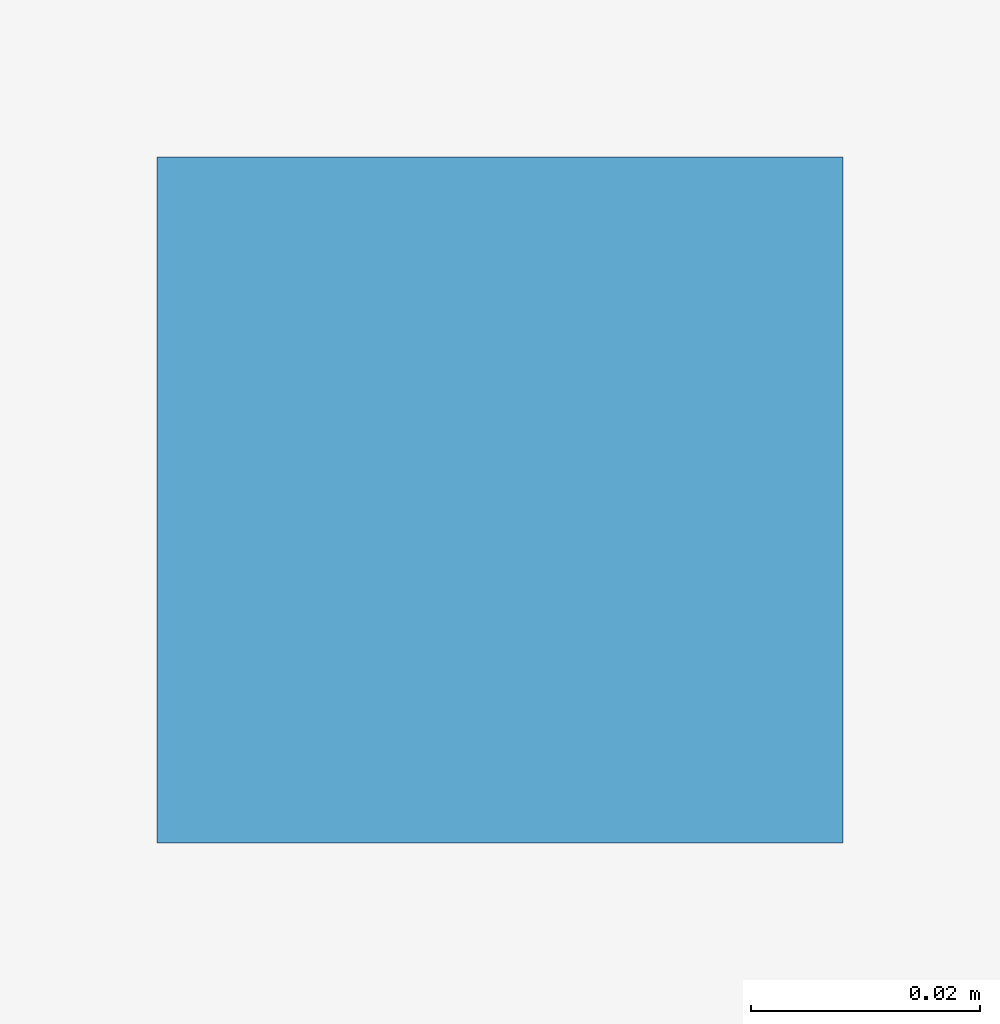
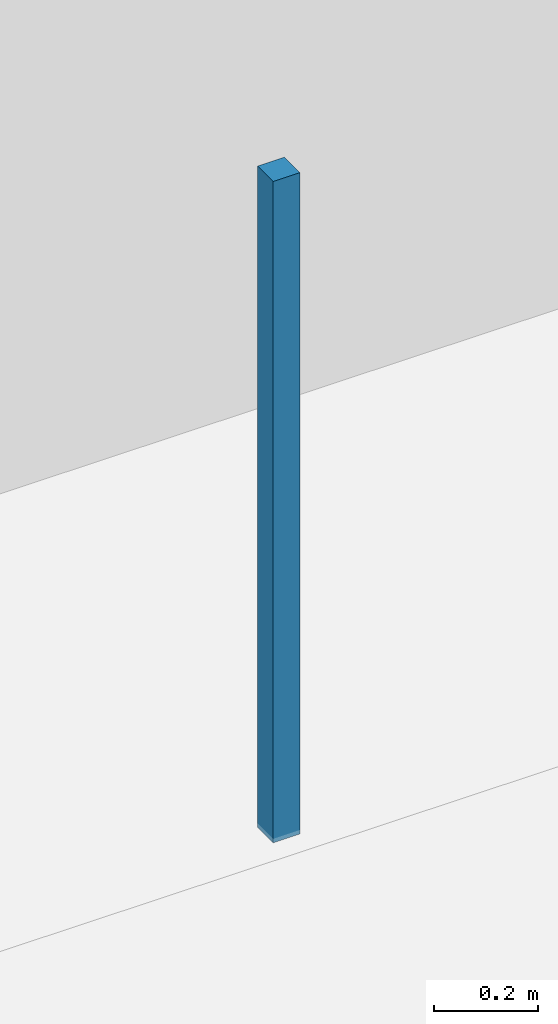
# One storey, part 35 of 44: 1 discrete accessory.
"""IFC4 building model written with IfcOpenShell, lengths in metres."""

from ifc_helpers import new_model, si_unit, direction, frame, origin, origin_2d, place, context, subcontext, project, spatial, rectangle, extrude, material, type_object, element, save


model = new_model("IFC4")

# Units and contexts
model_context = context("Model", 3, precision=1e-05, world=origin(), true_north=direction((0.0, 1.0)))
body_context = subcontext(model_context, "Body", "Model", "MODEL_VIEW")
ifc_project = project(units=[si_unit("LENGTHUNIT", "METRE"), si_unit("AREAUNIT", "SQUARE_METRE"), si_unit("VOLUMEUNIT", "CUBIC_METRE"), si_unit("PLANEANGLEUNIT", "RADIAN"), si_unit("MASSUNIT", "GRAM", prefix="KILO")], contexts=[model_context])

# Site, building, storey
site_placement = place(None, origin())
site = spatial("IfcSite", under=ifc_project, at=site_placement, CompositionType="ELEMENT")
building_placement = place(site_placement, origin())
building = spatial("IfcBuilding", under=site, at=building_placement, Name="Kaldorvane Square Convention Centre", CompositionType="ELEMENT")
storey_placement = place(building_placement, origin())
storey = spatial("IfcBuildingStorey", under=building, at=storey_placement, Name="L00", CompositionType="ELEMENT", Elevation=0.0)

# Discrete accessory
ifc_material = material(Name="Architectural Painted Steel", Category="steel")
discrete_accessory_type = type_object("IfcDiscreteAccessoryType", Name="AC-HGR-060", PredefinedType="BRACKET", material=ifc_material)
discrete_accessory_placement = place(storey_placement, frame((60.5, 11.5, 4.1300048828125), z_axis=(0.0, 0.0, 1.0), x_axis=(1.0, 0.0, 0.0)))
element("IfcDiscreteAccessory", 1, at=discrete_accessory_placement, inside=storey, type_object=discrete_accessory_type, Name="Ceiling Suspension Bracket 02 (L00)", PredefinedType="BRACKET", context=body_context, shape_type="SweptSolid", body=[
    extrude(rectangle(XDim=0.05999755859375, YDim=0.05999755859375, at=origin_2d()), origin(), (0.0, 0.0, 1.0), 1.55999755859375),
])

save(model, "model.ifc")
